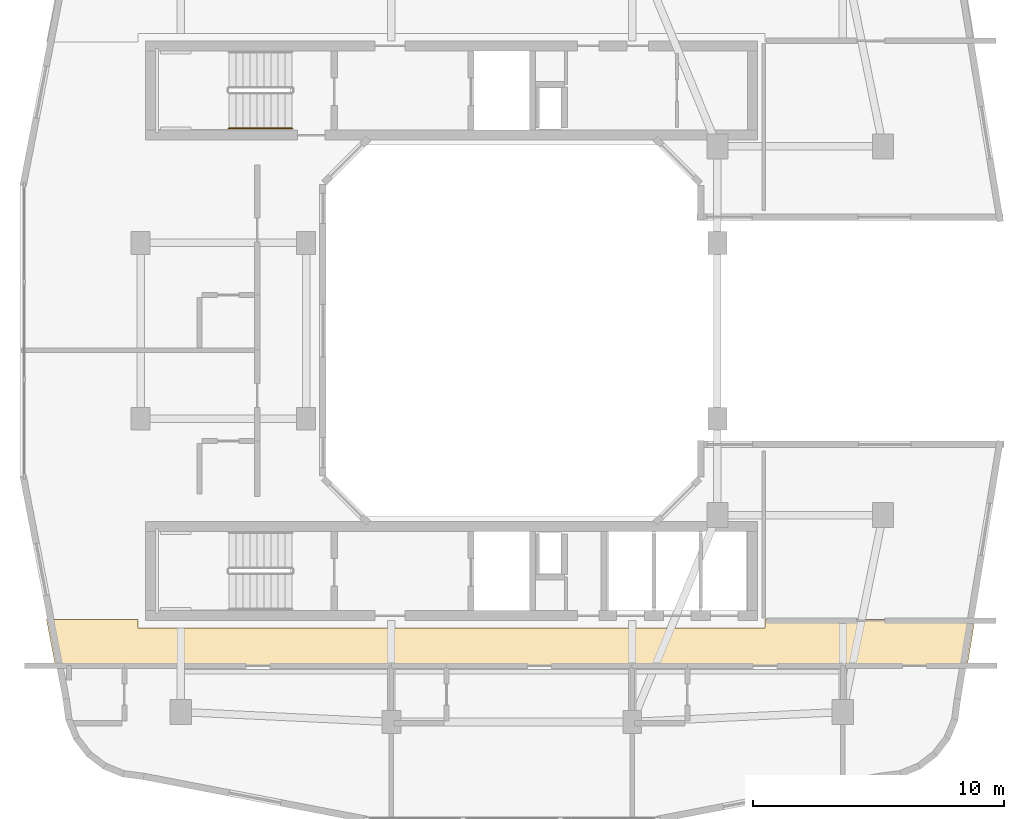
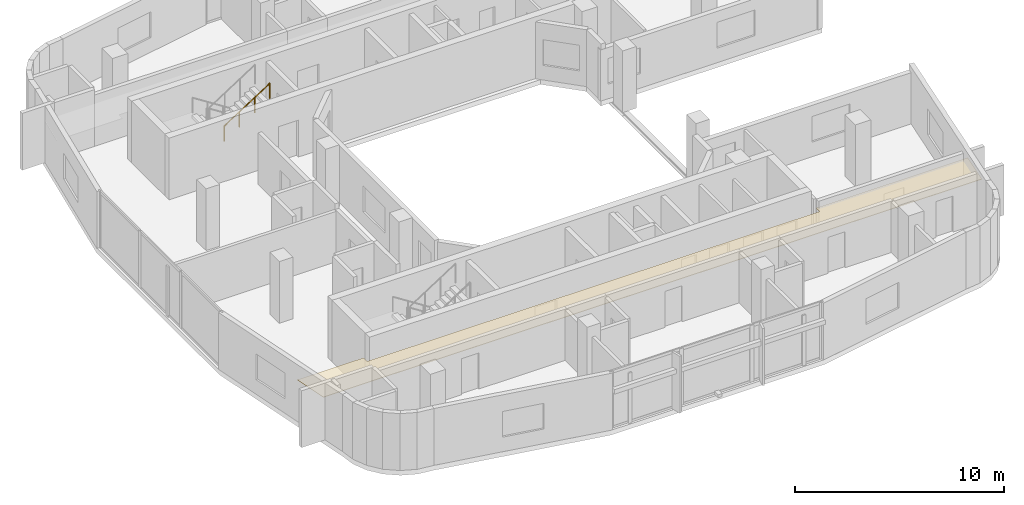
# One storey, part 10 of 12: 1 covering, 1 railing.
"""IFC4 building model written with IfcOpenShell, lengths in metres."""

import ifcopenshell
import ifcopenshell.guid

model = None  # the IFC model being written
_history = None  # IfcOwnerHistory: only IFC2X3 demands one
_inside = {}  # id of a spatial element -> (the spatial element, [elements in it])
_under = {}  # id of a project, library or spatial element -> (it, [spatial elements below it])
_declared = {}  # id of a project -> (the project, [libraries it declares])
_typed = {}  # id of a type object -> (the type object, [elements of that type])
_made_of = {}  # id of a material, layer set ... -> (it, [elements and type objects made of it])


def new_model(schema):
    """Start an empty IFC model of exactly this schema.

    Asked for "IFC4X3", IfcOpenShell would pick the latest addendum, in which some entities
    have other attributes; the version numbers below select the first issue.
    IFC2X3 requires an IfcOwnerHistory on every rooted entity: one is made here for all.
    """
    global model, _history
    if schema == "IFC4X3":
        model = ifcopenshell.file(schema_version=(4, 3, 0, 0))
    else:
        model = ifcopenshell.file(schema=schema)
    _inside.clear()
    _under.clear()
    _declared.clear()
    _typed.clear()
    _made_of.clear()
    _history = None
    if model.schema == "IFC2X3":
        org = make("IfcOrganization", Name="unknown")
        user = make(
            "IfcPersonAndOrganization",
            ThePerson=make("IfcPerson", FamilyName="unknown"),
            TheOrganization=org,
        )
        app = make(
            "IfcApplication",
            ApplicationDeveloper=org,
            Version="unknown",
            ApplicationFullName="unknown",
            ApplicationIdentifier="unknown",
        )
        _history = make(
            "IfcOwnerHistory",
            OwningUser=user,
            OwningApplication=app,
            ChangeAction="ADDED",
            CreationDate=0,
        )
    return model


def make(cls, **values):
    """One entity of the class cls with the attributes given. An attribute that is None is left unset."""
    return model.create_entity(
        cls, **{name: value for name, value in values.items() if value is not None}
    )


def rooted(cls, **values):
    """An entity with a GlobalId (a new one), such as an element, a storey or a relation."""
    return make(cls, GlobalId=ifcopenshell.guid.new(), OwnerHistory=_history, **values)


def si_unit(unit_type, name, prefix=None):
    """IfcSIUnit, for example si_unit("LENGTHUNIT", "METRE", prefix="MILLI")."""
    return make("IfcSIUnit", UnitType=unit_type, Prefix=prefix, Name=name)


def derived_unit(unit_type, elements):
    """IfcDerivedUnit: a product of units, each with its exponent."""
    return make(
        "IfcDerivedUnit",
        Elements=[
            make("IfcDerivedUnitElement", Unit=unit, Exponent=power)
            for unit, power in elements
        ],
        UnitType=unit_type,
    )


def assignment(units):
    """IfcUnitAssignment: the units of a project."""
    return None if units is None else make("IfcUnitAssignment", Units=units)


def point(xyz):
    """IfcCartesianPoint."""
    return None if xyz is None else make("IfcCartesianPoint", Coordinates=xyz)


def direction(xyz):
    """IfcDirection."""
    return None if xyz is None else make("IfcDirection", DirectionRatios=xyz)


def frame(location, z_axis=None, x_axis=None):
    """IfcAxis2Placement3D, a coordinate frame: its origin and axes. An axis left out is left unset."""
    return make(
        "IfcAxis2Placement3D",
        Location=point(location),
        Axis=direction(z_axis),
        RefDirection=direction(x_axis),
    )


def frame_2d(location, x_axis=None):
    """IfcAxis2Placement2D, a coordinate frame in the plane: its origin and x axis."""
    return make(
        "IfcAxis2Placement2D", Location=point(location), RefDirection=direction(x_axis)
    )


def origin():
    """The frame at (0, 0, 0) with its axes left unset."""
    return frame((0.0, 0.0, 0.0))


def origin_2d():
    """The frame at (0, 0) in the plane with its x axis left unset."""
    return frame_2d((0.0, 0.0))


def place(relative_to, where):
    """IfcLocalPlacement: puts the frame where relative to a parent placement (None: the world)."""
    return make(
        "IfcLocalPlacement", PlacementRelTo=relative_to, RelativePlacement=where
    )


def context(
    kind, dimensions, precision=None, world=None, true_north=None, identifier=None
):
    """IfcGeometricRepresentationContext, for example the 3D "Model" context."""
    return make(
        "IfcGeometricRepresentationContext",
        ContextIdentifier=identifier,
        ContextType=kind,
        CoordinateSpaceDimension=dimensions,
        Precision=precision,
        WorldCoordinateSystem=world,
        TrueNorth=true_north,
    )


def subcontext(parent, identifier, kind, view, scale=None):
    """IfcGeometricRepresentationSubContext, for example "Body" below "Model"."""
    return make(
        "IfcGeometricRepresentationSubContext",
        ContextIdentifier=identifier,
        ContextType=kind,
        ParentContext=parent,
        TargetScale=scale,
        TargetView=view,
    )


def project(units=None, contexts=None):
    """IfcProject with its units and contexts."""
    return rooted(
        "IfcProject",
        Name="project",
        RepresentationContexts=contexts,
        UnitsInContext=assignment(units),
    )


def spatial(cls, under=None, at=None, **own):
    """A site, building, storey or space (cls), placed at a placement, below another one or the project."""
    s = rooted(cls, ObjectPlacement=at, **own)
    if under is not None:
        _under.setdefault(under.id(), (under, []))[1].append(s)
    return s


def polyline(points):
    """IfcPolyline through the points."""
    return make("IfcPolyline", Points=[point(p) for p in points])


def profile(cls, at=None, kind="AREA", **sizes):
    """A parametric profile (cls). Its sizes go by their IFC names, for example OverallWidth=200.0."""
    return make(cls, ProfileType=kind, Position=at, **sizes)


def circle(**sizes):
    """IfcCircleProfileDef."""
    return profile("IfcCircleProfileDef", **sizes)


def outline(outer, holes=None, kind="AREA"):
    """IfcArbitraryClosedProfileDef: a profile drawn as a closed curve; with holes, ...WithVoids."""
    if holes is None:
        return make("IfcArbitraryClosedProfileDef", ProfileType=kind, OuterCurve=outer)
    return make(
        "IfcArbitraryProfileDefWithVoids",
        ProfileType=kind,
        OuterCurve=outer,
        InnerCurves=holes,
    )


def extrude(swept, where, along, depth):
    """IfcExtrudedAreaSolid: the profile swept, set in the frame where, extruded along a direction by depth."""
    return make(
        "IfcExtrudedAreaSolid",
        SweptArea=swept,
        Position=where,
        ExtrudedDirection=direction(along),
        Depth=depth,
    )


def shape(context_of_items, identifier, shape_type, items):
    """IfcShapeRepresentation: the items that make up one representation, for example the "Body"."""
    return make(
        "IfcShapeRepresentation",
        ContextOfItems=context_of_items,
        RepresentationIdentifier=identifier,
        RepresentationType=shape_type,
        Items=items,
    )


def material(Name=None, Category=None):
    """IfcMaterial."""
    return make("IfcMaterial", Name=Name, Category=Category)


def layer(
    of_material, thickness, ventilated=None, Name=None, Category=None, Priority=None
):
    """IfcMaterialLayer: one layer of a wall or slab, of a material (None: an air gap)."""
    return make(
        "IfcMaterialLayer",
        Material=of_material,
        LayerThickness=thickness,
        IsVentilated=ventilated,
        Name=Name,
        Category=Category,
        Priority=Priority,
    )


def layer_set(layers, Name=None):
    """IfcMaterialLayerSet."""
    return make("IfcMaterialLayerSet", MaterialLayers=layers, LayerSetName=Name)


def made_of(thing, what):
    """Note that an element or type object is made of a material, layer set ...; save() writes the relation."""
    if what is not None:
        _made_of.setdefault(what.id(), (what, []))[1].append(thing)
    return thing


def type_object(cls, material=None, **own):
    """A type object (cls), such as IfcWallType, which elements share."""
    return made_of(rooted(cls, **own), material)


def element(
    cls,
    number,
    at=None,
    inside=None,
    cuts=None,
    type_object=None,
    material=None,
    context=None,
    identifier="Body",
    shape_type=None,
    held_by="IfcProductDefinitionShape",
    body=None,
    shapes=None,
    **own,
):
    """One element of the class cls, such as IfcWall. Its Tag is "e" and its number.

    at: its placement. inside: the storey or other place that contains it. cuts: it is an
    opening in that element (IfcRelVoidsElement). A single representation is given by context,
    identifier, shape_type and body (its items); several are given by shapes. held_by: the class
    of the entity that holds the representations. save() writes the other relations.
    """
    e = rooted(cls, Tag="e%d" % number, ObjectPlacement=at, **own)
    if body is not None:
        shapes = [shape(context, identifier, shape_type, body)]
    if shapes is not None:
        e.Representation = make(held_by, Representations=shapes)
    if inside is not None:
        _inside.setdefault(inside.id(), (inside, []))[1].append(e)
    if cuts is not None:
        rooted(
            "IfcRelVoidsElement", RelatingBuildingElement=cuts, RelatedOpeningElement=e
        )
    if type_object is not None:
        _typed.setdefault(type_object.id(), (type_object, []))[1].append(e)
    return made_of(e, material)


def aggregate(whole, parts):
    """IfcRelAggregates: a whole, such as a stair, and the parts it consists of."""
    return rooted("IfcRelAggregates", RelatingObject=whole, RelatedObjects=parts)


def save(model, path):
    """Write the relations noted so far, then the file.

    IfcRelAggregates (storeys below a building ...), IfcRelContainedInSpatialStructure (elements
    in a storey), IfcRelDefinesByType, IfcRelAssociatesMaterial and IfcRelDeclares: one each for
    every whole, place, type object, material and project.
    """
    for whole, parts in _under.values():
        aggregate(whole, parts)
    for where, things in _inside.values():
        rooted(
            "IfcRelContainedInSpatialStructure",
            RelatedElements=things,
            RelatingStructure=where,
        )
    for kind, things in _typed.values():
        rooted("IfcRelDefinesByType", RelatedObjects=things, RelatingType=kind)
    for what, things in _made_of.values():
        rooted("IfcRelAssociatesMaterial", RelatedObjects=things, RelatingMaterial=what)
    for by, libraries in _declared.values():
        rooted("IfcRelDeclares", RelatingContext=by, RelatedDefinitions=libraries)
    model.write(path)


model = new_model("IFC4")

# Units and contexts
model_context = context("Model", 3, precision=1e-05, world=origin(), true_north=direction((0.0, 1.0)))
body_context = subcontext(model_context, "Body", "Model", "MODEL_VIEW")
ifc_project = project(units=[si_unit("LENGTHUNIT", "METRE"), si_unit("AREAUNIT", "SQUARE_METRE"), si_unit("VOLUMEUNIT", "CUBIC_METRE"), si_unit("PLANEANGLEUNIT", "RADIAN"), si_unit("MASSUNIT", "GRAM", prefix="KILO"), derived_unit("THERMALTRANSMITTANCEUNIT", [(si_unit("POWERUNIT", "WATT"), 1), (si_unit("LENGTHUNIT", "METRE"), -2), (si_unit("THERMODYNAMICTEMPERATUREUNIT", "KELVIN"), -1)])], contexts=[model_context])

# Site, building, storey
site_placement = place(None, origin())
site = spatial("IfcSite", under=ifc_project, at=site_placement, CompositionType="ELEMENT")
building_placement = place(site_placement, origin())
building = spatial("IfcBuilding", under=site, at=building_placement, Name="Kivonza Crest Hotel", CompositionType="ELEMENT")
storey_placement = place(building_placement, frame((0.0, 0.0, 181.10009765625)))
storey = spatial("IfcBuildingStorey", under=building, at=storey_placement, Name="L49", CompositionType="ELEMENT", Elevation=181.10009765625)

# Covering
ifc_material_1 = material(Name="Moisture-resistant gypsum plasterboard ceiling", Category="gypsum")
ifc_layer = layer(ifc_material_1, 0.030029296875)
ifc_layer_set = layer_set([ifc_layer], Name="Moisture-resistant gypsum plasterboard ceiling")
covering_type = type_object("IfcCoveringType", Name="CV-CEIL-GYP", PredefinedType="CEILING", material=ifc_layer_set)
covering_placement = place(storey_placement, frame((0.0, 0.0, 2.449951171875)))
element("IfcCovering", 1, at=covering_placement, inside=storey, type_object=covering_type, Name="L49 Hotel South Guest Corridor suspended ceiling", PredefinedType="CEILING", context=body_context, shape_type="SweptSolid", body=[
    extrude(outline(polyline([(2.447021484375, 13.47998046875), (2.806884765625, 11.610107421875), (39.156982421875, 11.610107421875), (39.465087890625, 13.47998046875), (31.10009765625, 13.47998046875), (31.10009765625, 13.139892578125), (6.10009765625, 13.139892578125), (6.10009765625, 13.47998046875), (2.447021484375, 13.47998046875)])), origin(), (0.0, 0.0, 1.0), 0.030029296875),
])

# Railing
ifc_material_2 = material(Name="Brushed stainless steel handrail", Category="steel")
railing_type = type_object("IfcRailingType", Name="RL-HAND-900", PredefinedType="HANDRAIL", material=ifc_material_2)
railing_placement = place(storey_placement, frame((9.719970703125, 33.070068359375, 1.97998046875)))
element("IfcRailing", 2, at=railing_placement, inside=storey, type_object=railing_type, Name="L49 ST-T1-N stair handrail 2", PredefinedType="HANDRAIL", context=body_context, shape_type="SweptSolid", body=[
    extrude(circle(Radius=0.02392578125, at=origin_2d()), frame((0.0, 0.0, 0.8759765625), z_axis=(0.841199657755, 0.0, 0.540724639528), x_axis=(0.0, 1.0, 0.0)), (0.0, 0.0, 1.0), 2.995849609375),
    extrude(circle(Radius=0.02099609375, at=origin_2d()), origin(), (0.0, 0.0, 1.0), 0.851806640625),
    extrude(circle(Radius=0.02099609375, at=origin_2d()), frame((0.840087890625, 0.0, 0.5400390625)), (0.0, 0.0, 1.0), 0.851806640625),
    extrude(circle(Radius=0.02099609375, at=origin_2d()), frame((1.679931640625, 0.0, 1.079833984375)), (0.0, 0.0, 1.0), 0.851806640625),
    extrude(circle(Radius=0.02099609375, at=origin_2d()), frame((2.52001953125, 0.0, 1.619873046875)), (0.0, 0.0, 1.0), 0.851806640625),
])

save(model, "model.ifc")
